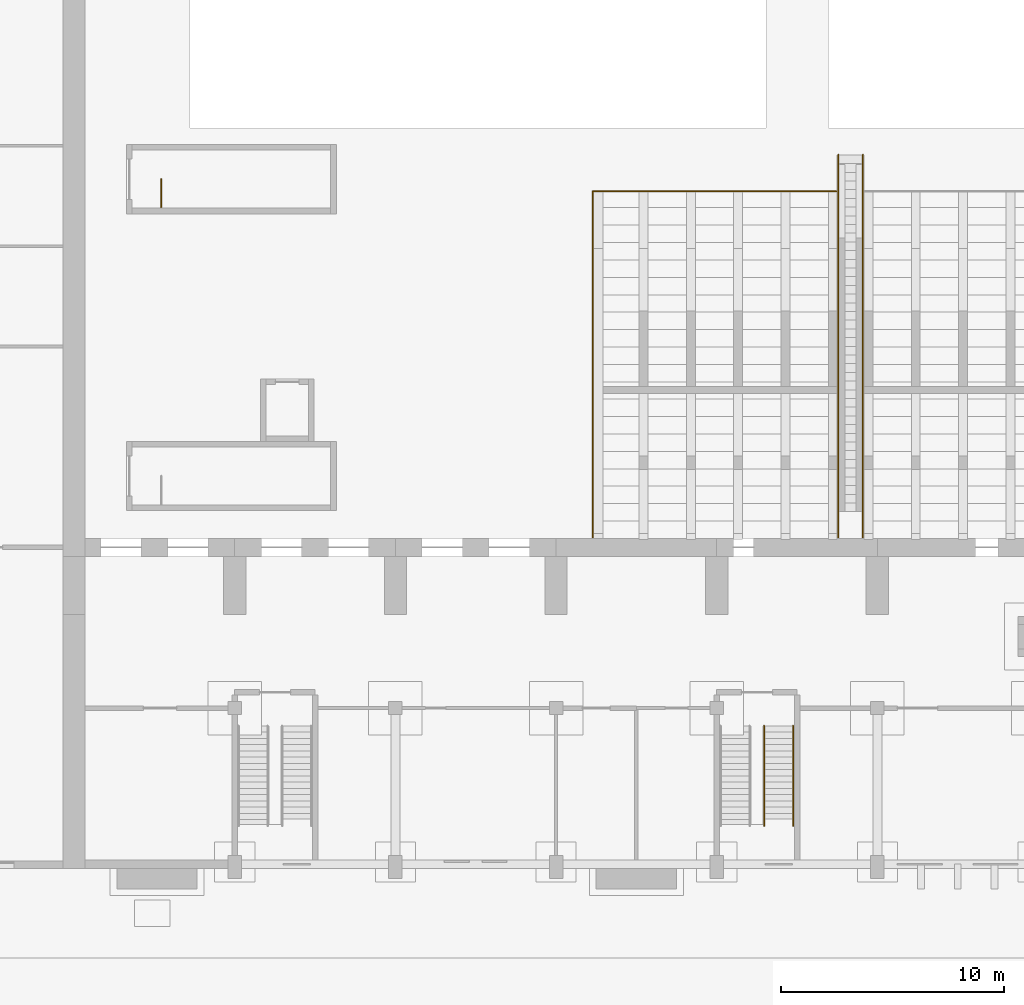
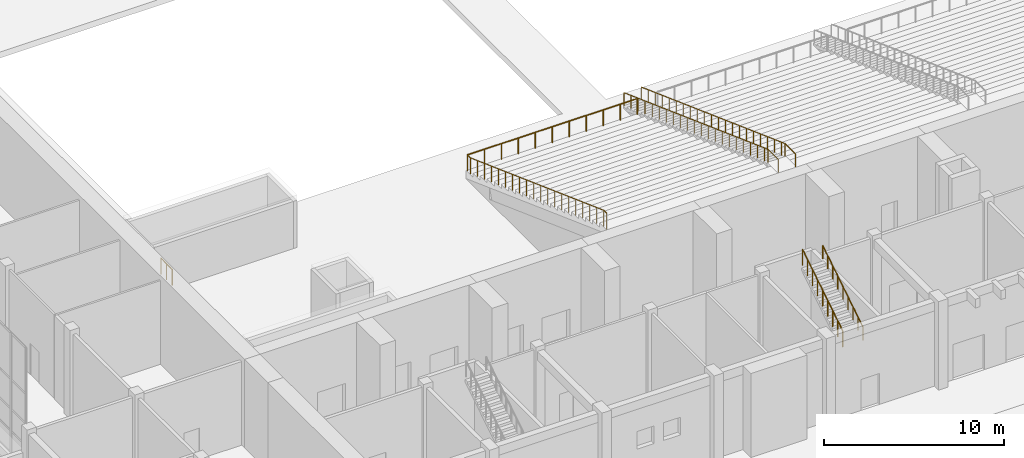
# One storey, part 59 of 70: 7 railings.
"""IFC4 building model written with IfcOpenShell, lengths in metres."""

from ifc_helpers import new_model, si_unit, direction, frame, origin, origin_2d, place, context, subcontext, project, spatial, circle, extrude, material, type_object, element, save


model = new_model("IFC4")

# Units and contexts
model_context = context("Model", 3, precision=1e-05, world=origin(), true_north=direction((0.0, 1.0)))
body_context = subcontext(model_context, "Body", "Model", "MODEL_VIEW")
ifc_project = project(units=[si_unit("LENGTHUNIT", "METRE"), si_unit("AREAUNIT", "SQUARE_METRE"), si_unit("VOLUMEUNIT", "CUBIC_METRE"), si_unit("PLANEANGLEUNIT", "RADIAN"), si_unit("MASSUNIT", "GRAM", prefix="KILO")], contexts=[model_context])

# Site, building, storey
site_placement = place(None, origin())
site = spatial("IfcSite", under=ifc_project, at=site_placement, CompositionType="ELEMENT")
building_placement = place(site_placement, origin())
building = spatial("IfcBuilding", under=site, at=building_placement, Name="Vermilion Court Aquatics Centre", CompositionType="ELEMENT")
storey_placement = place(building_placement, origin())
storey = spatial("IfcBuildingStorey", under=building, at=storey_placement, Name="L00", CompositionType="ELEMENT", Elevation=0.0)

# Railings
ifc_material_1 = material(Name="Steel ASTM A992 Grade 50", Category="steel")
railing_type_1 = type_object("IfcRailingType", Name="Hall guard 1100", PredefinedType="GUARDRAIL", material=ifc_material_1)
railing_1_placement = place(storey_placement, frame((18.300048828125, 29.64990234375, 0.0)))
element("IfcRailing", 1, at=railing_1_placement, inside=storey, type_object=railing_type_1, Name="Stair well guard 2", PredefinedType="GUARDRAIL", context=body_context, shape_type="SweptSolid", body=[
    extrude(circle(Radius=0.02392578125, at=origin_2d()), frame((0.0, 0.0, 1.076171875), z_axis=(0.0, 1.0, 0.0), x_axis=(-1.0, 0.0, 0.0)), (0.0, 0.0, 1.0), 1.25),
    extrude(circle(Radius=0.02099609375, at=origin_2d()), origin(), (0.0, 0.0, 1.0), 1.052001953125),
    extrude(circle(Radius=0.02099609375, at=origin_2d()), frame((0.0, 0.625, 0.0)), (0.0, 0.0, 1.0), 1.052001953125),
    extrude(circle(Radius=0.02099609375, at=origin_2d()), frame((0.0, 1.25, 0.0)), (0.0, 0.0, 1.0), 1.052001953125),
])
ifc_material_2 = material(Name="Steel ASTM A992 Grade 50", Category="steel")
railing_type_2 = type_object("IfcRailingType", Name="South stair guard 1100", PredefinedType="GUARDRAIL", material=ifc_material_2)
railing_2_placement = place(storey_placement, frame((45.324951171875, 1.919921875, 3.176513671875)))
element("IfcRailing", 2, at=railing_2_placement, inside=storey, type_object=railing_type_2, Name="Stair guard S2.2W", PredefinedType="GUARDRAIL", context=body_context, shape_type="SweptSolid", body=[
    extrude(circle(Radius=0.02392578125, at=origin_2d()), frame((0.0, 0.0, 1.076171875), z_axis=(0.0, 0.846128112635, 0.532979565282), x_axis=(-1.0, 0.0, 0.0)), (0.0, 0.0, 1.0), 0.661865234375),
    extrude(circle(Radius=0.02392578125, at=origin_2d()), frame((0.0, 0.56005859375, 1.4287109375), z_axis=(0.0, 0.845961766943, 0.533243554926), x_axis=(-1.0, 0.0, 0.0)), (0.0, 0.0, 1.0), 0.662109375),
    extrude(circle(Radius=0.02392578125, at=origin_2d()), frame((0.0, 1.1201171875, 1.78173828125), z_axis=(0.0, 0.845961766943, 0.533243554926), x_axis=(-1.0, 0.0, 0.0)), (0.0, 0.0, 1.0), 0.662109375),
    extrude(circle(Radius=0.02392578125, at=origin_2d()), frame((0.0, 1.68017578125, 2.134765625), z_axis=(0.0, 0.846023287082, 0.533145944105), x_axis=(-1.0, 0.0, 0.0)), (0.0, 0.0, 1.0), 0.66162109375),
    extrude(circle(Radius=0.02392578125, at=origin_2d()), frame((0.0, 2.239990234375, 2.48779296875), z_axis=(0.0, 0.845961766943, 0.533243554926), x_axis=(-1.0, 0.0, 0.0)), (0.0, 0.0, 1.0), 0.662109375),
    extrude(circle(Radius=0.02392578125, at=origin_2d()), frame((0.0, 2.800048828125, 2.8408203125), z_axis=(0.0, 0.845961766943, 0.533243554926), x_axis=(-1.0, 0.0, 0.0)), (0.0, 0.0, 1.0), 0.662109375),
    extrude(circle(Radius=0.02392578125, at=origin_2d()), frame((0.0, 3.360107421875, 3.19384765625), z_axis=(0.0, 0.846128112635, 0.532979565282), x_axis=(-1.0, 0.0, 0.0)), (0.0, 0.0, 1.0), 0.661865234375),
    extrude(circle(Radius=0.02392578125, at=origin_2d()), frame((0.0, 3.920166015625, 3.54638671875), z_axis=(0.0, 0.84585685817, 0.533409950682), x_axis=(-1.0, 0.0, 0.0)), (0.0, 0.0, 1.0), 0.661865234375),
    extrude(circle(Radius=0.02099609375, at=origin_2d()), origin(), (0.0, 0.0, 1.0), 1.052001953125),
    extrude(circle(Radius=0.02099609375, at=origin_2d()), frame((0.0, 0.56005859375, 0.352783203125)), (0.0, 0.0, 1.0), 1.052001953125),
    extrude(circle(Radius=0.02099609375, at=origin_2d()), frame((0.0, 1.1201171875, 0.705810546875)), (0.0, 0.0, 1.0), 1.052001953125),
    extrude(circle(Radius=0.02099609375, at=origin_2d()), frame((0.0, 1.68017578125, 1.058837890625)), (0.0, 0.0, 1.0), 1.052001953125),
    extrude(circle(Radius=0.02099609375, at=origin_2d()), frame((0.0, 2.239990234375, 1.41162109375)), (0.0, 0.0, 1.0), 1.052001953125),
    extrude(circle(Radius=0.02099609375, at=origin_2d()), frame((0.0, 2.800048828125, 1.7646484375)), (0.0, 0.0, 1.0), 1.052001953125),
    extrude(circle(Radius=0.02099609375, at=origin_2d()), frame((0.0, 3.360107421875, 2.11767578125)), (0.0, 0.0, 1.0), 1.052001953125),
    extrude(circle(Radius=0.02099609375, at=origin_2d()), frame((0.0, 3.920166015625, 2.470458984375)), (0.0, 0.0, 1.0), 1.052001953125),
    extrude(circle(Radius=0.02099609375, at=origin_2d()), frame((0.0, 4.47998046875, 2.823486328125)), (0.0, 0.0, 1.0), 1.052001953125),
])
ifc_material_3 = material(Name="Steel ASTM A992 Grade 50", Category="steel")
railing_type_3 = type_object("IfcRailingType", Name="South stair handrail 900", PredefinedType="HANDRAIL", material=ifc_material_3)
railing_3_placement = place(storey_placement, frame((46.625, 1.919921875, 3.176513671875)))
element("IfcRailing", 3, at=railing_3_placement, inside=storey, type_object=railing_type_3, Name="Stair handrail S2.2E", PredefinedType="HANDRAIL", context=body_context, shape_type="SweptSolid", body=[
    extrude(circle(Radius=0.02392578125, at=origin_2d()), frame((0.0, 0.0, 0.8759765625), z_axis=(0.0, 0.846128112635, 0.532979565282), x_axis=(-1.0, 0.0, 0.0)), (0.0, 0.0, 1.0), 0.661865234375),
    extrude(circle(Radius=0.02392578125, at=origin_2d()), frame((0.0, 0.56005859375, 1.228515625), z_axis=(0.0, 0.845961766943, 0.533243554926), x_axis=(-1.0, 0.0, 0.0)), (0.0, 0.0, 1.0), 0.662109375),
    extrude(circle(Radius=0.02392578125, at=origin_2d()), frame((0.0, 1.1201171875, 1.58154296875), z_axis=(0.0, 0.845961766943, 0.533243554926), x_axis=(-1.0, 0.0, 0.0)), (0.0, 0.0, 1.0), 0.662109375),
    extrude(circle(Radius=0.02392578125, at=origin_2d()), frame((0.0, 1.68017578125, 1.9345703125), z_axis=(0.0, 0.846023287082, 0.533145944105), x_axis=(-1.0, 0.0, 0.0)), (0.0, 0.0, 1.0), 0.66162109375),
    extrude(circle(Radius=0.02392578125, at=origin_2d()), frame((0.0, 2.239990234375, 2.28759765625), z_axis=(0.0, 0.845961766943, 0.533243554926), x_axis=(-1.0, 0.0, 0.0)), (0.0, 0.0, 1.0), 0.662109375),
    extrude(circle(Radius=0.02392578125, at=origin_2d()), frame((0.0, 2.800048828125, 2.640625), z_axis=(0.0, 0.845961766943, 0.533243554926), x_axis=(-1.0, 0.0, 0.0)), (0.0, 0.0, 1.0), 0.662109375),
    extrude(circle(Radius=0.02392578125, at=origin_2d()), frame((0.0, 3.360107421875, 2.99365234375), z_axis=(0.0, 0.846128112635, 0.532979565282), x_axis=(-1.0, 0.0, 0.0)), (0.0, 0.0, 1.0), 0.661865234375),
    extrude(circle(Radius=0.02392578125, at=origin_2d()), frame((0.0, 3.920166015625, 3.34619140625), z_axis=(0.0, 0.84585685817, 0.533409950682), x_axis=(-1.0, 0.0, 0.0)), (0.0, 0.0, 1.0), 0.661865234375),
    extrude(circle(Radius=0.02099609375, at=origin_2d()), origin(), (0.0, 0.0, 1.0), 0.851806640625),
    extrude(circle(Radius=0.02099609375, at=origin_2d()), frame((0.0, 0.56005859375, 0.352783203125)), (0.0, 0.0, 1.0), 0.851806640625),
    extrude(circle(Radius=0.02099609375, at=origin_2d()), frame((0.0, 1.1201171875, 0.705810546875)), (0.0, 0.0, 1.0), 0.851806640625),
    extrude(circle(Radius=0.02099609375, at=origin_2d()), frame((0.0, 1.68017578125, 1.058837890625)), (0.0, 0.0, 1.0), 0.851806640625),
    extrude(circle(Radius=0.02099609375, at=origin_2d()), frame((0.0, 2.239990234375, 1.41162109375)), (0.0, 0.0, 1.0), 0.851806640625),
    extrude(circle(Radius=0.02099609375, at=origin_2d()), frame((0.0, 2.800048828125, 1.7646484375)), (0.0, 0.0, 1.0), 0.851806640625),
    extrude(circle(Radius=0.02099609375, at=origin_2d()), frame((0.0, 3.360107421875, 2.11767578125)), (0.0, 0.0, 1.0), 0.851806640625),
    extrude(circle(Radius=0.02099609375, at=origin_2d()), frame((0.0, 3.920166015625, 2.470458984375)), (0.0, 0.0, 1.0), 0.851806640625),
    extrude(circle(Radius=0.02099609375, at=origin_2d()), frame((0.0, 4.47998046875, 2.823486328125)), (0.0, 0.0, 1.0), 0.851806640625),
])
ifc_material_4 = material(Name="Steel ASTM A992 Grade 50", Category="steel")
railing_type_4 = type_object("IfcRailingType", Name="Tribune aisle stair handrail 900", PredefinedType="HANDRAIL", material=ifc_material_4)
railing_4_placement = place(storey_placement, frame((48.64990234375, 31.989990234375, 0.142822265625)))
element("IfcRailing", 4, at=railing_4_placement, inside=storey, type_object=railing_type_4, Name="Aisle stair handrail 1W", PredefinedType="HANDRAIL", context=body_context, shape_type="SweptSolid", body=[
    extrude(circle(Radius=0.02392578125, at=origin_2d()), frame((0.0, 0.0, 0.8759765625), z_axis=(0.0, -0.939018724958, 0.343866011956), x_axis=(1.0, 0.0, 0.0)), (0.0, 0.0, 1.0), 0.83056640625),
    extrude(circle(Radius=0.02392578125, at=origin_2d()), frame((0.0, -0.780029296875, 1.16162109375), z_axis=(0.0, -0.938923798649, 0.344125123073), x_axis=(1.0, 0.0, 0.0)), (0.0, 0.0, 1.0), 0.830810546875),
    extrude(circle(Radius=0.02392578125, at=origin_2d()), frame((0.0, -1.56005859375, 1.447265625), z_axis=(0.0, -0.939018724958, 0.343866011956), x_axis=(1.0, 0.0, 0.0)), (0.0, 0.0, 1.0), 0.83056640625),
    extrude(circle(Radius=0.02392578125, at=origin_2d()), frame((0.0, -2.340087890625, 1.73291015625), z_axis=(0.0, -0.938983958399, 0.343960936546), x_axis=(1.0, 0.0, 0.0)), (0.0, 0.0, 1.0), 0.83056640625),
    extrude(circle(Radius=0.02392578125, at=origin_2d()), frame((0.0, -3.119873046875, 2.0185546875), z_axis=(0.0, -0.938923798649, 0.344125123073), x_axis=(1.0, 0.0, 0.0)), (0.0, 0.0, 1.0), 0.830810546875),
    extrude(circle(Radius=0.02392578125, at=origin_2d()), frame((0.0, -3.89990234375, 2.3046875), z_axis=(0.0, -0.939018724958, 0.343866011956), x_axis=(1.0, 0.0, 0.0)), (0.0, 0.0, 1.0), 0.83056640625),
    extrude(circle(Radius=0.02392578125, at=origin_2d()), frame((0.0, -4.679931640625, 2.59033203125), z_axis=(0.0, -0.939018724958, 0.343866011956), x_axis=(1.0, 0.0, 0.0)), (0.0, 0.0, 1.0), 0.83056640625),
    extrude(circle(Radius=0.02392578125, at=origin_2d()), frame((0.0, -5.4599609375, 2.8759765625), z_axis=(0.0, -0.939018724958, 0.343866011956), x_axis=(1.0, 0.0, 0.0)), (0.0, 0.0, 1.0), 0.83056640625),
    extrude(circle(Radius=0.02392578125, at=origin_2d()), frame((0.0, -6.239990234375, 3.16162109375), z_axis=(0.0, -0.938923798649, 0.344125123073), x_axis=(1.0, 0.0, 0.0)), (0.0, 0.0, 1.0), 0.830810546875),
    extrude(circle(Radius=0.02392578125, at=origin_2d()), frame((0.0, -7.02001953125, 3.447265625), z_axis=(0.0, -0.939018724958, 0.343866011956), x_axis=(1.0, 0.0, 0.0)), (0.0, 0.0, 1.0), 0.83056640625),
    extrude(circle(Radius=0.02392578125, at=origin_2d()), frame((0.0, -7.800048828125, 3.73291015625), z_axis=(0.0, -0.939018724958, 0.343866011956), x_axis=(1.0, 0.0, 0.0)), (0.0, 0.0, 1.0), 0.83056640625),
    extrude(circle(Radius=0.02392578125, at=origin_2d()), frame((0.0, -8.580078125, 4.0185546875), z_axis=(0.0, -0.938923798649, 0.344125123073), x_axis=(1.0, 0.0, 0.0)), (0.0, 0.0, 1.0), 0.830810546875),
    extrude(circle(Radius=0.02392578125, at=origin_2d()), frame((0.0, -9.360107421875, 4.3046875), z_axis=(0.0, -0.938983958399, 0.343960936546), x_axis=(1.0, 0.0, 0.0)), (0.0, 0.0, 1.0), 0.83056640625),
    extrude(circle(Radius=0.02392578125, at=origin_2d()), frame((0.0, -10.139892578125, 4.59033203125), z_axis=(0.0, -0.939018724958, 0.343866011956), x_axis=(1.0, 0.0, 0.0)), (0.0, 0.0, 1.0), 0.83056640625),
    extrude(circle(Radius=0.02392578125, at=origin_2d()), frame((0.0, -10.919921875, 4.8759765625), z_axis=(0.0, -0.939018724958, 0.343866011956), x_axis=(1.0, 0.0, 0.0)), (0.0, 0.0, 1.0), 0.83056640625),
    extrude(circle(Radius=0.02392578125, at=origin_2d()), frame((0.0, -11.699951171875, 5.16162109375), z_axis=(0.0, -0.938923798649, 0.344125123073), x_axis=(1.0, 0.0, 0.0)), (0.0, 0.0, 1.0), 0.830810546875),
    extrude(circle(Radius=0.02392578125, at=origin_2d()), frame((0.0, -12.47998046875, 5.447265625), z_axis=(0.0, -0.939018724958, 0.343866011956), x_axis=(1.0, 0.0, 0.0)), (0.0, 0.0, 1.0), 0.83056640625),
    extrude(circle(Radius=0.02392578125, at=origin_2d()), frame((0.0, -13.260009765625, 5.73291015625), z_axis=(0.0, -0.939018724958, 0.343866011956), x_axis=(1.0, 0.0, 0.0)), (0.0, 0.0, 1.0), 0.83056640625),
    extrude(circle(Radius=0.02392578125, at=origin_2d()), frame((0.0, -14.0400390625, 6.0185546875), z_axis=(0.0, -0.938923798649, 0.344125123073), x_axis=(1.0, 0.0, 0.0)), (0.0, 0.0, 1.0), 0.830810546875),
    extrude(circle(Radius=0.02392578125, at=origin_2d()), frame((0.0, -14.820068359375, 6.3046875), z_axis=(0.0, -0.939018724958, 0.343866011956), x_axis=(1.0, 0.0, 0.0)), (0.0, 0.0, 1.0), 0.83056640625),
    extrude(circle(Radius=0.02392578125, at=origin_2d()), frame((0.0, -15.60009765625, 6.59033203125), z_axis=(0.0, -0.938983958399, 0.343960936546), x_axis=(1.0, 0.0, 0.0)), (0.0, 0.0, 1.0), 0.415283203125),
    extrude(circle(Radius=0.02392578125, at=origin_2d()), frame((0.0, -15.989990234375, 6.73291015625), z_axis=(0.0, -1.0, 0.0), x_axis=(1.0, 0.0, 0.0)), (0.0, 0.0, 1.0), 1.14990234375),
    extrude(circle(Radius=0.02099609375, at=origin_2d()), origin(), (0.0, 0.0, 1.0), 0.851806640625),
    extrude(circle(Radius=0.02099609375, at=origin_2d()), frame((0.0, -0.780029296875, 0.28564453125)), (0.0, 0.0, 1.0), 0.851806640625),
    extrude(circle(Radius=0.02099609375, at=origin_2d()), frame((0.0, -1.56005859375, 0.571533203125)), (0.0, 0.0, 1.0), 0.851806640625),
    extrude(circle(Radius=0.02099609375, at=origin_2d()), frame((0.0, -2.340087890625, 0.857177734375)), (0.0, 0.0, 1.0), 0.851806640625),
    extrude(circle(Radius=0.02099609375, at=origin_2d()), frame((0.0, -3.119873046875, 1.142822265625)), (0.0, 0.0, 1.0), 0.851806640625),
    extrude(circle(Radius=0.02099609375, at=origin_2d()), frame((0.0, -3.89990234375, 1.4287109375)), (0.0, 0.0, 1.0), 0.851806640625),
    extrude(circle(Radius=0.02099609375, at=origin_2d()), frame((0.0, -4.679931640625, 1.71435546875)), (0.0, 0.0, 1.0), 0.851806640625),
    extrude(circle(Radius=0.02099609375, at=origin_2d()), frame((0.0, -5.4599609375, 2.0)), (0.0, 0.0, 1.0), 0.851806640625),
    extrude(circle(Radius=0.02099609375, at=origin_2d()), frame((0.0, -6.239990234375, 2.28564453125)), (0.0, 0.0, 1.0), 0.851806640625),
    extrude(circle(Radius=0.02099609375, at=origin_2d()), frame((0.0, -7.02001953125, 2.571533203125)), (0.0, 0.0, 1.0), 0.851806640625),
    extrude(circle(Radius=0.02099609375, at=origin_2d()), frame((0.0, -7.800048828125, 2.857177734375)), (0.0, 0.0, 1.0), 0.851806640625),
    extrude(circle(Radius=0.02099609375, at=origin_2d()), frame((0.0, -8.580078125, 3.142822265625)), (0.0, 0.0, 1.0), 0.851806640625),
    extrude(circle(Radius=0.02099609375, at=origin_2d()), frame((0.0, -9.360107421875, 3.4287109375)), (0.0, 0.0, 1.0), 0.851806640625),
    extrude(circle(Radius=0.02099609375, at=origin_2d()), frame((0.0, -10.139892578125, 3.71435546875)), (0.0, 0.0, 1.0), 0.851806640625),
    extrude(circle(Radius=0.02099609375, at=origin_2d()), frame((0.0, -10.919921875, 4.0)), (0.0, 0.0, 1.0), 0.851806640625),
    extrude(circle(Radius=0.02099609375, at=origin_2d()), frame((0.0, -11.699951171875, 4.28564453125)), (0.0, 0.0, 1.0), 0.851806640625),
    extrude(circle(Radius=0.02099609375, at=origin_2d()), frame((0.0, -12.47998046875, 4.571533203125)), (0.0, 0.0, 1.0), 0.851806640625),
    extrude(circle(Radius=0.02099609375, at=origin_2d()), frame((0.0, -13.260009765625, 4.857177734375)), (0.0, 0.0, 1.0), 0.851806640625),
    extrude(circle(Radius=0.02099609375, at=origin_2d()), frame((0.0, -14.0400390625, 5.142822265625)), (0.0, 0.0, 1.0), 0.851806640625),
    extrude(circle(Radius=0.02099609375, at=origin_2d()), frame((0.0, -14.820068359375, 5.4287109375)), (0.0, 0.0, 1.0), 0.851806640625),
    extrude(circle(Radius=0.02099609375, at=origin_2d()), frame((0.0, -15.60009765625, 5.71435546875)), (0.0, 0.0, 1.0), 0.851806640625),
    extrude(circle(Radius=0.02099609375, at=origin_2d()), frame((0.0, -15.989990234375, 5.857177734375)), (0.0, 0.0, 1.0), 0.851806640625),
    extrude(circle(Radius=0.02099609375, at=origin_2d()), frame((0.0, -17.139892578125, 5.857177734375)), (0.0, 0.0, 1.0), 0.851806640625),
])
railing_5_placement = place(storey_placement, frame((49.75, 31.989990234375, 0.142822265625)))
element("IfcRailing", 5, at=railing_5_placement, inside=storey, type_object=railing_type_4, Name="Aisle stair handrail 1E", PredefinedType="HANDRAIL", context=body_context, shape_type="SweptSolid", body=[
    extrude(circle(Radius=0.02392578125, at=origin_2d()), frame((0.0, 0.0, 0.8759765625), z_axis=(0.0, -0.939018724958, 0.343866011956), x_axis=(1.0, 0.0, 0.0)), (0.0, 0.0, 1.0), 0.83056640625),
    extrude(circle(Radius=0.02392578125, at=origin_2d()), frame((0.0, -0.780029296875, 1.16162109375), z_axis=(0.0, -0.938923798649, 0.344125123073), x_axis=(1.0, 0.0, 0.0)), (0.0, 0.0, 1.0), 0.830810546875),
    extrude(circle(Radius=0.02392578125, at=origin_2d()), frame((0.0, -1.56005859375, 1.447265625), z_axis=(0.0, -0.939018724958, 0.343866011956), x_axis=(1.0, 0.0, 0.0)), (0.0, 0.0, 1.0), 0.83056640625),
    extrude(circle(Radius=0.02392578125, at=origin_2d()), frame((0.0, -2.340087890625, 1.73291015625), z_axis=(0.0, -0.938983958399, 0.343960936546), x_axis=(1.0, 0.0, 0.0)), (0.0, 0.0, 1.0), 0.83056640625),
    extrude(circle(Radius=0.02392578125, at=origin_2d()), frame((0.0, -3.119873046875, 2.0185546875), z_axis=(0.0, -0.938923798649, 0.344125123073), x_axis=(1.0, 0.0, 0.0)), (0.0, 0.0, 1.0), 0.830810546875),
    extrude(circle(Radius=0.02392578125, at=origin_2d()), frame((0.0, -3.89990234375, 2.3046875), z_axis=(0.0, -0.939018724958, 0.343866011956), x_axis=(1.0, 0.0, 0.0)), (0.0, 0.0, 1.0), 0.83056640625),
    extrude(circle(Radius=0.02392578125, at=origin_2d()), frame((0.0, -4.679931640625, 2.59033203125), z_axis=(0.0, -0.939018724958, 0.343866011956), x_axis=(1.0, 0.0, 0.0)), (0.0, 0.0, 1.0), 0.83056640625),
    extrude(circle(Radius=0.02392578125, at=origin_2d()), frame((0.0, -5.4599609375, 2.8759765625), z_axis=(0.0, -0.939018724958, 0.343866011956), x_axis=(1.0, 0.0, 0.0)), (0.0, 0.0, 1.0), 0.83056640625),
    extrude(circle(Radius=0.02392578125, at=origin_2d()), frame((0.0, -6.239990234375, 3.16162109375), z_axis=(0.0, -0.938923798649, 0.344125123073), x_axis=(1.0, 0.0, 0.0)), (0.0, 0.0, 1.0), 0.830810546875),
    extrude(circle(Radius=0.02392578125, at=origin_2d()), frame((0.0, -7.02001953125, 3.447265625), z_axis=(0.0, -0.939018724958, 0.343866011956), x_axis=(1.0, 0.0, 0.0)), (0.0, 0.0, 1.0), 0.83056640625),
    extrude(circle(Radius=0.02392578125, at=origin_2d()), frame((0.0, -7.800048828125, 3.73291015625), z_axis=(0.0, -0.939018724958, 0.343866011956), x_axis=(1.0, 0.0, 0.0)), (0.0, 0.0, 1.0), 0.83056640625),
    extrude(circle(Radius=0.02392578125, at=origin_2d()), frame((0.0, -8.580078125, 4.0185546875), z_axis=(0.0, -0.938923798649, 0.344125123073), x_axis=(1.0, 0.0, 0.0)), (0.0, 0.0, 1.0), 0.830810546875),
    extrude(circle(Radius=0.02392578125, at=origin_2d()), frame((0.0, -9.360107421875, 4.3046875), z_axis=(0.0, -0.938983958399, 0.343960936546), x_axis=(1.0, 0.0, 0.0)), (0.0, 0.0, 1.0), 0.83056640625),
    extrude(circle(Radius=0.02392578125, at=origin_2d()), frame((0.0, -10.139892578125, 4.59033203125), z_axis=(0.0, -0.939018724958, 0.343866011956), x_axis=(1.0, 0.0, 0.0)), (0.0, 0.0, 1.0), 0.83056640625),
    extrude(circle(Radius=0.02392578125, at=origin_2d()), frame((0.0, -10.919921875, 4.8759765625), z_axis=(0.0, -0.939018724958, 0.343866011956), x_axis=(1.0, 0.0, 0.0)), (0.0, 0.0, 1.0), 0.83056640625),
    extrude(circle(Radius=0.02392578125, at=origin_2d()), frame((0.0, -11.699951171875, 5.16162109375), z_axis=(0.0, -0.938923798649, 0.344125123073), x_axis=(1.0, 0.0, 0.0)), (0.0, 0.0, 1.0), 0.830810546875),
    extrude(circle(Radius=0.02392578125, at=origin_2d()), frame((0.0, -12.47998046875, 5.447265625), z_axis=(0.0, -0.939018724958, 0.343866011956), x_axis=(1.0, 0.0, 0.0)), (0.0, 0.0, 1.0), 0.83056640625),
    extrude(circle(Radius=0.02392578125, at=origin_2d()), frame((0.0, -13.260009765625, 5.73291015625), z_axis=(0.0, -0.939018724958, 0.343866011956), x_axis=(1.0, 0.0, 0.0)), (0.0, 0.0, 1.0), 0.83056640625),
    extrude(circle(Radius=0.02392578125, at=origin_2d()), frame((0.0, -14.0400390625, 6.0185546875), z_axis=(0.0, -0.938923798649, 0.344125123073), x_axis=(1.0, 0.0, 0.0)), (0.0, 0.0, 1.0), 0.830810546875),
    extrude(circle(Radius=0.02392578125, at=origin_2d()), frame((0.0, -14.820068359375, 6.3046875), z_axis=(0.0, -0.939018724958, 0.343866011956), x_axis=(1.0, 0.0, 0.0)), (0.0, 0.0, 1.0), 0.83056640625),
    extrude(circle(Radius=0.02392578125, at=origin_2d()), frame((0.0, -15.60009765625, 6.59033203125), z_axis=(0.0, -0.938983958399, 0.343960936546), x_axis=(1.0, 0.0, 0.0)), (0.0, 0.0, 1.0), 0.415283203125),
    extrude(circle(Radius=0.02392578125, at=origin_2d()), frame((0.0, -15.989990234375, 6.73291015625), z_axis=(0.0, -1.0, 0.0), x_axis=(1.0, 0.0, 0.0)), (0.0, 0.0, 1.0), 1.14990234375),
    extrude(circle(Radius=0.02099609375, at=origin_2d()), origin(), (0.0, 0.0, 1.0), 0.851806640625),
    extrude(circle(Radius=0.02099609375, at=origin_2d()), frame((0.0, -0.780029296875, 0.28564453125)), (0.0, 0.0, 1.0), 0.851806640625),
    extrude(circle(Radius=0.02099609375, at=origin_2d()), frame((0.0, -1.56005859375, 0.571533203125)), (0.0, 0.0, 1.0), 0.851806640625),
    extrude(circle(Radius=0.02099609375, at=origin_2d()), frame((0.0, -2.340087890625, 0.857177734375)), (0.0, 0.0, 1.0), 0.851806640625),
    extrude(circle(Radius=0.02099609375, at=origin_2d()), frame((0.0, -3.119873046875, 1.142822265625)), (0.0, 0.0, 1.0), 0.851806640625),
    extrude(circle(Radius=0.02099609375, at=origin_2d()), frame((0.0, -3.89990234375, 1.4287109375)), (0.0, 0.0, 1.0), 0.851806640625),
    extrude(circle(Radius=0.02099609375, at=origin_2d()), frame((0.0, -4.679931640625, 1.71435546875)), (0.0, 0.0, 1.0), 0.851806640625),
    extrude(circle(Radius=0.02099609375, at=origin_2d()), frame((0.0, -5.4599609375, 2.0)), (0.0, 0.0, 1.0), 0.851806640625),
    extrude(circle(Radius=0.02099609375, at=origin_2d()), frame((0.0, -6.239990234375, 2.28564453125)), (0.0, 0.0, 1.0), 0.851806640625),
    extrude(circle(Radius=0.02099609375, at=origin_2d()), frame((0.0, -7.02001953125, 2.571533203125)), (0.0, 0.0, 1.0), 0.851806640625),
    extrude(circle(Radius=0.02099609375, at=origin_2d()), frame((0.0, -7.800048828125, 2.857177734375)), (0.0, 0.0, 1.0), 0.851806640625),
    extrude(circle(Radius=0.02099609375, at=origin_2d()), frame((0.0, -8.580078125, 3.142822265625)), (0.0, 0.0, 1.0), 0.851806640625),
    extrude(circle(Radius=0.02099609375, at=origin_2d()), frame((0.0, -9.360107421875, 3.4287109375)), (0.0, 0.0, 1.0), 0.851806640625),
    extrude(circle(Radius=0.02099609375, at=origin_2d()), frame((0.0, -10.139892578125, 3.71435546875)), (0.0, 0.0, 1.0), 0.851806640625),
    extrude(circle(Radius=0.02099609375, at=origin_2d()), frame((0.0, -10.919921875, 4.0)), (0.0, 0.0, 1.0), 0.851806640625),
    extrude(circle(Radius=0.02099609375, at=origin_2d()), frame((0.0, -11.699951171875, 4.28564453125)), (0.0, 0.0, 1.0), 0.851806640625),
    extrude(circle(Radius=0.02099609375, at=origin_2d()), frame((0.0, -12.47998046875, 4.571533203125)), (0.0, 0.0, 1.0), 0.851806640625),
    extrude(circle(Radius=0.02099609375, at=origin_2d()), frame((0.0, -13.260009765625, 4.857177734375)), (0.0, 0.0, 1.0), 0.851806640625),
    extrude(circle(Radius=0.02099609375, at=origin_2d()), frame((0.0, -14.0400390625, 5.142822265625)), (0.0, 0.0, 1.0), 0.851806640625),
    extrude(circle(Radius=0.02099609375, at=origin_2d()), frame((0.0, -14.820068359375, 5.4287109375)), (0.0, 0.0, 1.0), 0.851806640625),
    extrude(circle(Radius=0.02099609375, at=origin_2d()), frame((0.0, -15.60009765625, 5.71435546875)), (0.0, 0.0, 1.0), 0.851806640625),
    extrude(circle(Radius=0.02099609375, at=origin_2d()), frame((0.0, -15.989990234375, 5.857177734375)), (0.0, 0.0, 1.0), 0.851806640625),
    extrude(circle(Radius=0.02099609375, at=origin_2d()), frame((0.0, -17.139892578125, 5.857177734375)), (0.0, 0.0, 1.0), 0.851806640625),
])
ifc_material_5 = material(Name="Steel ASTM A992 Grade 50", Category="steel")
railing_type_5 = type_object("IfcRailingType", Name="Tribune tier guard 1100", PredefinedType="GUARDRAIL", material=ifc_material_5)
railing_6_placement = place(storey_placement, frame((37.64990234375, 30.35009765625, 0.571533203125)))
element("IfcRailing", 6, at=railing_6_placement, inside=storey, type_object=railing_type_5, Name="Tribune end guard W", PredefinedType="GUARDRAIL", context=body_context, shape_type="SweptSolid", body=[
    extrude(circle(Radius=0.02392578125, at=origin_2d()), frame((0.0, 0.0, 1.076171875), z_axis=(0.0, -1.0, 0.0), x_axis=(1.0, 0.0, 0.0)), (0.0, 0.0, 1.0), 0.340087890625),
    extrude(circle(Radius=0.02392578125, at=origin_2d()), frame((0.0, -0.340087890625, 1.076171875), z_axis=(0.0, -0.939018724958, 0.343866011956), x_axis=(1.0, 0.0, 0.0)), (0.0, 0.0, 1.0), 0.83056640625),
    extrude(circle(Radius=0.02392578125, at=origin_2d()), frame((0.0, -1.1201171875, 1.36181640625), z_axis=(0.0, -0.939018724958, 0.343866011956), x_axis=(1.0, 0.0, 0.0)), (0.0, 0.0, 1.0), 0.83056640625),
    extrude(circle(Radius=0.02392578125, at=origin_2d()), frame((0.0, -1.900146484375, 1.6474609375), z_axis=(0.0, -0.939018724958, 0.343866011956), x_axis=(1.0, 0.0, 0.0)), (0.0, 0.0, 1.0), 0.83056640625),
    extrude(circle(Radius=0.02392578125, at=origin_2d()), frame((0.0, -2.68017578125, 1.93310546875), z_axis=(0.0, -0.938923798649, 0.344125123073), x_axis=(1.0, 0.0, 0.0)), (0.0, 0.0, 1.0), 0.830810546875),
    extrude(circle(Radius=0.02392578125, at=origin_2d()), frame((0.0, -3.460205078125, 2.21875), z_axis=(0.0, -0.938983958399, 0.343960936546), x_axis=(1.0, 0.0, 0.0)), (0.0, 0.0, 1.0), 0.83056640625),
    extrude(circle(Radius=0.02392578125, at=origin_2d()), frame((0.0, -4.239990234375, 2.50439453125), z_axis=(0.0, -0.939018724958, 0.343866011956), x_axis=(1.0, 0.0, 0.0)), (0.0, 0.0, 1.0), 0.83056640625),
    extrude(circle(Radius=0.02392578125, at=origin_2d()), frame((0.0, -5.02001953125, 2.7900390625), z_axis=(0.0, -0.938923798649, 0.344125123073), x_axis=(1.0, 0.0, 0.0)), (0.0, 0.0, 1.0), 0.830810546875),
    extrude(circle(Radius=0.02392578125, at=origin_2d()), frame((0.0, -5.800048828125, 3.076171875), z_axis=(0.0, -0.939018724958, 0.343866011956), x_axis=(1.0, 0.0, 0.0)), (0.0, 0.0, 1.0), 0.83056640625),
    extrude(circle(Radius=0.02392578125, at=origin_2d()), frame((0.0, -6.580078125, 3.36181640625), z_axis=(0.0, -0.939018724958, 0.343866011956), x_axis=(1.0, 0.0, 0.0)), (0.0, 0.0, 1.0), 0.83056640625),
    extrude(circle(Radius=0.02392578125, at=origin_2d()), frame((0.0, -7.360107421875, 3.6474609375), z_axis=(0.0, -0.939018724958, 0.343866011956), x_axis=(1.0, 0.0, 0.0)), (0.0, 0.0, 1.0), 0.83056640625),
    extrude(circle(Radius=0.02392578125, at=origin_2d()), frame((0.0, -8.14013671875, 3.93310546875), z_axis=(0.0, -0.938923798649, 0.344125123073), x_axis=(1.0, 0.0, 0.0)), (0.0, 0.0, 1.0), 0.830810546875),
    extrude(circle(Radius=0.02392578125, at=origin_2d()), frame((0.0, -8.920166015625, 4.21875), z_axis=(0.0, -0.939018724958, 0.343866011956), x_axis=(1.0, 0.0, 0.0)), (0.0, 0.0, 1.0), 0.83056640625),
    extrude(circle(Radius=0.02392578125, at=origin_2d()), frame((0.0, -9.7001953125, 4.50439453125), z_axis=(0.0, -0.938983958399, 0.343960936546), x_axis=(1.0, 0.0, 0.0)), (0.0, 0.0, 1.0), 0.83056640625),
    extrude(circle(Radius=0.02392578125, at=origin_2d()), frame((0.0, -10.47998046875, 4.7900390625), z_axis=(0.0, -0.938923798649, 0.344125123073), x_axis=(1.0, 0.0, 0.0)), (0.0, 0.0, 1.0), 0.830810546875),
    extrude(circle(Radius=0.02392578125, at=origin_2d()), frame((0.0, -11.260009765625, 5.076171875), z_axis=(0.0, -0.939018724958, 0.343866011956), x_axis=(1.0, 0.0, 0.0)), (0.0, 0.0, 1.0), 0.83056640625),
    extrude(circle(Radius=0.02392578125, at=origin_2d()), frame((0.0, -12.0400390625, 5.36181640625), z_axis=(0.0, -0.939018724958, 0.343866011956), x_axis=(1.0, 0.0, 0.0)), (0.0, 0.0, 1.0), 0.83056640625),
    extrude(circle(Radius=0.02392578125, at=origin_2d()), frame((0.0, -12.820068359375, 5.6474609375), z_axis=(0.0, -0.939018724958, 0.343866011956), x_axis=(1.0, 0.0, 0.0)), (0.0, 0.0, 1.0), 0.83056640625),
    extrude(circle(Radius=0.02392578125, at=origin_2d()), frame((0.0, -13.60009765625, 5.93310546875), z_axis=(0.0, -0.938923798649, 0.344125123073), x_axis=(1.0, 0.0, 0.0)), (0.0, 0.0, 1.0), 0.830810546875),
    extrude(circle(Radius=0.02392578125, at=origin_2d()), frame((0.0, -14.380126953125, 6.21875), z_axis=(0.0, -0.939018724958, 0.343866011956), x_axis=(1.0, 0.0, 0.0)), (0.0, 0.0, 1.0), 0.83056640625),
    extrude(circle(Radius=0.02392578125, at=origin_2d()), frame((0.0, -15.16015625, 6.50439453125), z_axis=(0.0, -1.0, 0.0), x_axis=(1.0, 0.0, 0.0)), (0.0, 0.0, 1.0), 0.33984375),
    extrude(circle(Radius=0.02099609375, at=origin_2d()), origin(), (0.0, 0.0, 1.0), 1.052001953125),
    extrude(circle(Radius=0.02099609375, at=origin_2d()), frame((0.0, -0.340087890625, 0.0)), (0.0, 0.0, 1.0), 1.052001953125),
    extrude(circle(Radius=0.02099609375, at=origin_2d()), frame((0.0, -1.1201171875, 0.28564453125)), (0.0, 0.0, 1.0), 1.052001953125),
    extrude(circle(Radius=0.02099609375, at=origin_2d()), frame((0.0, -1.900146484375, 0.5712890625)), (0.0, 0.0, 1.0), 1.052001953125),
    extrude(circle(Radius=0.02099609375, at=origin_2d()), frame((0.0, -2.68017578125, 0.85693359375)), (0.0, 0.0, 1.0), 1.052001953125),
    extrude(circle(Radius=0.02099609375, at=origin_2d()), frame((0.0, -3.460205078125, 1.142822265625)), (0.0, 0.0, 1.0), 1.052001953125),
    extrude(circle(Radius=0.02099609375, at=origin_2d()), frame((0.0, -4.239990234375, 1.428466796875)), (0.0, 0.0, 1.0), 1.052001953125),
    extrude(circle(Radius=0.02099609375, at=origin_2d()), frame((0.0, -5.02001953125, 1.714111328125)), (0.0, 0.0, 1.0), 1.052001953125),
    extrude(circle(Radius=0.02099609375, at=origin_2d()), frame((0.0, -5.800048828125, 2.0)), (0.0, 0.0, 1.0), 1.052001953125),
    extrude(circle(Radius=0.02099609375, at=origin_2d()), frame((0.0, -6.580078125, 2.28564453125)), (0.0, 0.0, 1.0), 1.052001953125),
    extrude(circle(Radius=0.02099609375, at=origin_2d()), frame((0.0, -7.360107421875, 2.5712890625)), (0.0, 0.0, 1.0), 1.052001953125),
    extrude(circle(Radius=0.02099609375, at=origin_2d()), frame((0.0, -8.14013671875, 2.85693359375)), (0.0, 0.0, 1.0), 1.052001953125),
    extrude(circle(Radius=0.02099609375, at=origin_2d()), frame((0.0, -8.920166015625, 3.142822265625)), (0.0, 0.0, 1.0), 1.052001953125),
    extrude(circle(Radius=0.02099609375, at=origin_2d()), frame((0.0, -9.7001953125, 3.428466796875)), (0.0, 0.0, 1.0), 1.052001953125),
    extrude(circle(Radius=0.02099609375, at=origin_2d()), frame((0.0, -10.47998046875, 3.714111328125)), (0.0, 0.0, 1.0), 1.052001953125),
    extrude(circle(Radius=0.02099609375, at=origin_2d()), frame((0.0, -11.260009765625, 4.0)), (0.0, 0.0, 1.0), 1.052001953125),
    extrude(circle(Radius=0.02099609375, at=origin_2d()), frame((0.0, -12.0400390625, 4.28564453125)), (0.0, 0.0, 1.0), 1.052001953125),
    extrude(circle(Radius=0.02099609375, at=origin_2d()), frame((0.0, -12.820068359375, 4.5712890625)), (0.0, 0.0, 1.0), 1.052001953125),
    extrude(circle(Radius=0.02099609375, at=origin_2d()), frame((0.0, -13.60009765625, 4.85693359375)), (0.0, 0.0, 1.0), 1.052001953125),
    extrude(circle(Radius=0.02099609375, at=origin_2d()), frame((0.0, -14.380126953125, 5.142822265625)), (0.0, 0.0, 1.0), 1.052001953125),
    extrude(circle(Radius=0.02099609375, at=origin_2d()), frame((0.0, -15.16015625, 5.428466796875)), (0.0, 0.0, 1.0), 1.052001953125),
    extrude(circle(Radius=0.02099609375, at=origin_2d()), frame((0.0, -15.5, 5.428466796875)), (0.0, 0.0, 1.0), 1.052001953125),
])
railing_7_placement = place(storey_placement, frame((37.64990234375, 30.35009765625, 0.571533203125)))
element("IfcRailing", 7, at=railing_7_placement, inside=storey, type_object=railing_type_5, Name="Tribune front guard 1", PredefinedType="GUARDRAIL", context=body_context, shape_type="SweptSolid", body=[
    extrude(circle(Radius=0.02392578125, at=origin_2d()), frame((0.0, 0.0, 1.076171875), z_axis=(1.0, 0.0, 0.0), x_axis=(0.0, 1.0, 0.0)), (0.0, 0.0, 1.0), 10.900146484375),
    extrude(circle(Radius=0.02099609375, at=origin_2d()), origin(), (0.0, 0.0, 1.0), 1.052001953125),
    extrude(circle(Radius=0.02099609375, at=origin_2d()), frame((1.090087890625, 0.0, 0.0)), (0.0, 0.0, 1.0), 1.052001953125),
    extrude(circle(Radius=0.02099609375, at=origin_2d()), frame((2.179931640625, 0.0, 0.0)), (0.0, 0.0, 1.0), 1.052001953125),
    extrude(circle(Radius=0.02099609375, at=origin_2d()), frame((3.27001953125, 0.0, 0.0)), (0.0, 0.0, 1.0), 1.052001953125),
    extrude(circle(Radius=0.02099609375, at=origin_2d()), frame((4.360107421875, 0.0, 0.0)), (0.0, 0.0, 1.0), 1.052001953125),
    extrude(circle(Radius=0.02099609375, at=origin_2d()), frame((5.4501953125, 0.0, 0.0)), (0.0, 0.0, 1.0), 1.052001953125),
    extrude(circle(Radius=0.02099609375, at=origin_2d()), frame((6.5400390625, 0.0, 0.0)), (0.0, 0.0, 1.0), 1.052001953125),
    extrude(circle(Radius=0.02099609375, at=origin_2d()), frame((7.630126953125, 0.0, 0.0)), (0.0, 0.0, 1.0), 1.052001953125),
    extrude(circle(Radius=0.02099609375, at=origin_2d()), frame((8.72021484375, 0.0, 0.0)), (0.0, 0.0, 1.0), 1.052001953125),
    extrude(circle(Radius=0.02099609375, at=origin_2d()), frame((9.81005859375, 0.0, 0.0)), (0.0, 0.0, 1.0), 1.052001953125),
    extrude(circle(Radius=0.02099609375, at=origin_2d()), frame((10.900146484375, 0.0, 0.0)), (0.0, 0.0, 1.0), 1.052001953125),
])

save(model, "model.ifc")
